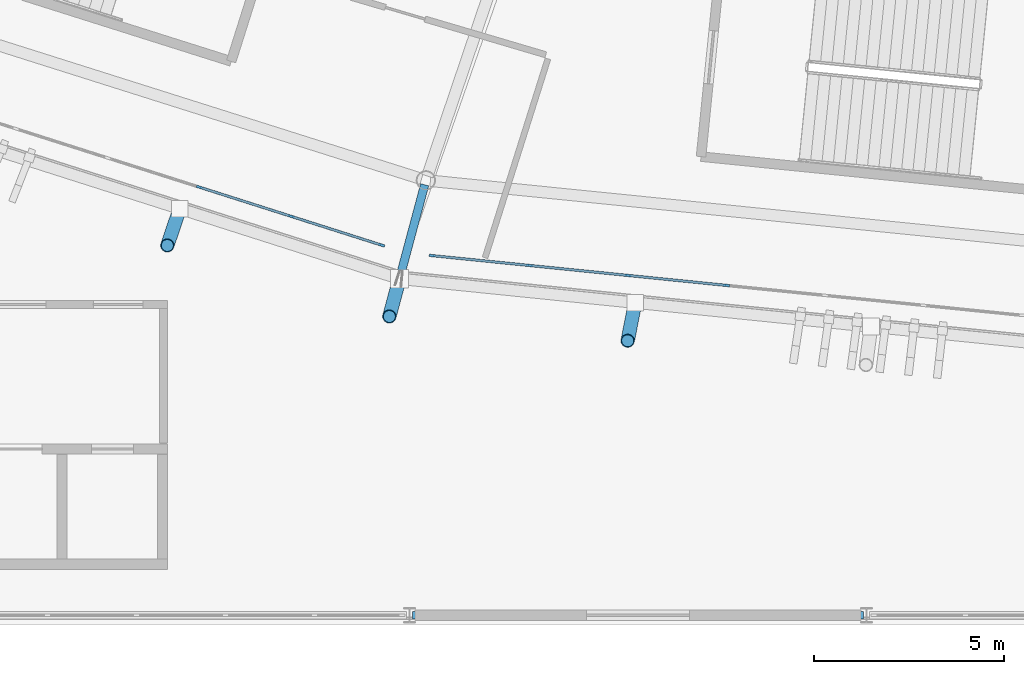
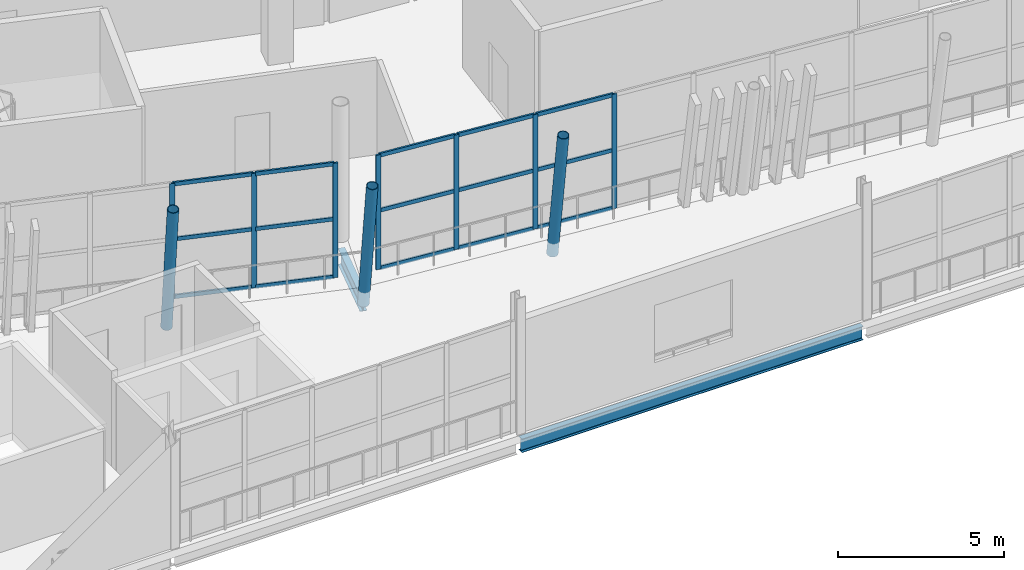
# One storey, part 33 of 179: 25 members, 2 beams, 2 elements without a shape of their own.
"""IFC4 building model written with IfcOpenShell, lengths in metres."""

from ifc_helpers import new_model, si_unit, direction, frame, origin, origin_2d, place, context, subcontext, project, spatial, rectangle, hollow_circle, i_section, extrude, material, material_profile, profile_set, type_object, element, aggregate, save


model = new_model("IFC4")

# Units and contexts
model_context = context("Model", 3, precision=1e-05, world=origin(), true_north=direction((0.0, 1.0)))
body_context = subcontext(model_context, "Body", "Model", "MODEL_VIEW")
ifc_project = project(units=[si_unit("LENGTHUNIT", "METRE"), si_unit("AREAUNIT", "SQUARE_METRE"), si_unit("VOLUMEUNIT", "CUBIC_METRE"), si_unit("PLANEANGLEUNIT", "RADIAN"), si_unit("MASSUNIT", "GRAM", prefix="KILO")], contexts=[model_context])

# Site, building, storey
site_placement = place(None, origin())
site = spatial("IfcSite", under=ifc_project, at=site_placement, CompositionType="ELEMENT")
building_placement = place(site_placement, origin())
building = spatial("IfcBuilding", under=site, at=building_placement, Name="Zlatoyarsky Gate Stadium", CompositionType="ELEMENT")
storey_placement = place(building_placement, frame((0.0, 0.0, 10.60009765625)))
storey = spatial("IfcBuildingStorey", under=building, at=storey_placement, Name="L02", CompositionType="ELEMENT", Elevation=10.60009765625)

# Curtain wall, members
ifc_material_1 = material(Name="Thermally broken anodised aluminium curtain wall", Category="aluminium")
curtain_wall_type = type_object("IfcCurtainWallType", Name="UNITISED HOSPITALITY GLAZING L02", PredefinedType="USERDEFINED", material=ifc_material_1)
curtain_wall_1_placement = place(storey_placement, origin())
curtain_wall_1 = element("IfcCurtainWall", 1, at=curtain_wall_1_placement, inside=storey, type_object=curtain_wall_type, Name="Curtain wall CW-L02-16", ObjectType="UNITISED GLAZING", PredefinedType="USERDEFINED")
ifc_material_2 = material(Name="Anodised aluminium 6063-T6", Category="aluminium")
ifc_material_profile_1 = material_profile(ifc_material_2, rectangle(XDim=0.06494140625, YDim=0.159912109375, at=origin_2d()), Name="ALU 65X160")
ifc_profile_set_1 = profile_set([ifc_material_profile_1], Name="Anodised aluminium 6063-T6")
member_type_1 = type_object("IfcMemberType", Name="ALUMINIUM MULLION 65X160", PredefinedType="MULLION", material=ifc_profile_set_1)
member_1_placement = place(storey_placement, frame((80.98388671875, 11.240234375, 0.0), z_axis=(0.0, 0.0, 1.0), x_axis=(0.303278080998, 0.952902096538, 0.0)))
member_1 = element("IfcMember", 2, at=member_1_placement, type_object=member_type_1, Name="CW-UG2 mullion 8", PredefinedType="MULLION", context=body_context, shape_type="SweptSolid", body=[
    extrude(rectangle(XDim=0.06494140625, YDim=0.159912109375, at=origin_2d()), origin(), (0.0, 0.0, 1.0), 4.199951171875),
])
member_2_placement = place(storey_placement, frame((83.3916015625, 10.47412109375, 0.0), z_axis=(0.0, 0.0, 1.0), x_axis=(0.303278080998, 0.952902096538, 0.0)))
member_2 = element("IfcMember", 3, at=member_2_placement, type_object=member_type_1, Name="CW-UG2 mullion 9", PredefinedType="MULLION", context=body_context, shape_type="SweptSolid", body=[
    extrude(rectangle(XDim=0.06494140625, YDim=0.159912109375, at=origin_2d()), origin(), (0.0, 0.0, 1.0), 4.199951171875),
])
member_3_placement = place(storey_placement, frame((85.76806640625, 9.7177734375, 0.0), z_axis=(0.0, 0.0, 1.0), x_axis=(0.303278080998, 0.952902096538, 0.0)))
member_3 = element("IfcMember", 4, at=member_3_placement, type_object=member_type_1, Name="CW-UG2 mullion 10", PredefinedType="MULLION", context=body_context, shape_type="SweptSolid", body=[
    extrude(rectangle(XDim=0.06494140625, YDim=0.159912109375, at=origin_2d()), origin(), (0.0, 0.0, 1.0), 4.199951171875),
])

curtain_wall_2_placement = place(storey_placement, origin())
curtain_wall_2 = element("IfcCurtainWall", 5, at=curtain_wall_2_placement, inside=storey, type_object=curtain_wall_type, Name="Curtain wall CW-L02-17", ObjectType="UNITISED GLAZING", PredefinedType="USERDEFINED")
member_4_placement = place(storey_placement, frame((87.097412109375, 9.442138671875, 0.0), z_axis=(0.0, 0.0, 1.0), x_axis=(0.100644885375, 0.994922412577, 0.0)))
member_4 = element("IfcMember", 6, at=member_4_placement, type_object=member_type_1, Name="CW-UG2 mullion 1", PredefinedType="MULLION", context=body_context, shape_type="SweptSolid", body=[
    extrude(rectangle(XDim=0.06494140625, YDim=0.159912109375, at=origin_2d()), origin(), (0.0, 0.0, 1.0), 4.199951171875),
])
member_5_placement = place(storey_placement, frame((89.652587890625, 9.18359375, 0.0), z_axis=(0.0, 0.0, 1.0), x_axis=(0.100644885375, 0.994922412577, 0.0)))
member_5 = element("IfcMember", 7, at=member_5_placement, type_object=member_type_1, Name="CW-UG2 mullion 2", PredefinedType="MULLION", context=body_context, shape_type="SweptSolid", body=[
    extrude(rectangle(XDim=0.06494140625, YDim=0.159912109375, at=origin_2d()), origin(), (0.0, 0.0, 1.0), 4.199951171875),
])
member_6_placement = place(storey_placement, frame((92.240234375, 8.921875, 0.0), z_axis=(0.0, 0.0, 1.0), x_axis=(0.100644885375, 0.994922412577, 0.0)))
member_6 = element("IfcMember", 8, at=member_6_placement, type_object=member_type_1, Name="CW-UG2 mullion 3", PredefinedType="MULLION", context=body_context, shape_type="SweptSolid", body=[
    extrude(rectangle(XDim=0.06494140625, YDim=0.159912109375, at=origin_2d()), origin(), (0.0, 0.0, 1.0), 4.199951171875),
])
member_7_placement = place(storey_placement, frame((94.827880859375, 8.659912109375, 0.0), z_axis=(0.0, 0.0, 1.0), x_axis=(0.100644885375, 0.994922412577, 0.0)))
member_7 = element("IfcMember", 9, at=member_7_placement, type_object=member_type_1, Name="CW-UG2 mullion 4", PredefinedType="MULLION", context=body_context, shape_type="SweptSolid", body=[
    extrude(rectangle(XDim=0.06494140625, YDim=0.159912109375, at=origin_2d()), origin(), (0.0, 0.0, 1.0), 4.199951171875),
])

# Member
ifc_material_profile_2 = material_profile(ifc_material_2, rectangle(XDim=0.06494140625, YDim=0.139892578125, at=origin_2d()), Name="ALU 65X140")
ifc_profile_set_2 = profile_set([ifc_material_profile_2], Name="Anodised aluminium 6063-T6")
member_type_2 = type_object("IfcMemberType", Name="ALUMINIUM TRANSOM 65X140", PredefinedType="USERDEFINED", material=ifc_profile_set_2)
member_8_placement = place(storey_placement, frame((81.014892578125, 11.23046875, 0.032470703125), z_axis=(0.952899726058, -0.303285528964, 0.0), x_axis=(0.303285528964, 0.952899726058, 0.0)))
member_8 = element("IfcMember", 10, at=member_8_placement, type_object=member_type_2, Name="CW-UG2 transom 8.1", ObjectType="TRANSOM", PredefinedType="USERDEFINED", context=body_context, shape_type="SweptSolid", body=[
    extrude(rectangle(XDim=0.06494140625, YDim=0.139892578125, at=origin_2d()), origin(), (0.0, 0.0, 1.0), 2.461669921875),
])

member_9_placement = place(storey_placement, frame((81.014892578125, 11.23046875, 2.14990234375), z_axis=(0.952899726058, -0.303285528964, 0.0), x_axis=(0.303285528964, 0.952899726058, 0.0)))
member_9 = element("IfcMember", 11, at=member_9_placement, type_object=member_type_2, Name="CW-UG2 transom 8.2", ObjectType="TRANSOM", PredefinedType="USERDEFINED", context=body_context, shape_type="SweptSolid", body=[
    extrude(rectangle(XDim=0.06494140625, YDim=0.139892578125, at=origin_2d()), origin(), (0.0, 0.0, 1.0), 2.461669921875),
])

member_10_placement = place(storey_placement, frame((81.014892578125, 11.23046875, 4.16748046875), z_axis=(0.952899726058, -0.303285528964, 0.0), x_axis=(0.303285528964, 0.952899726058, 0.0)))
member_10 = element("IfcMember", 12, at=member_10_placement, type_object=member_type_2, Name="CW-UG2 transom 8.3", ObjectType="TRANSOM", PredefinedType="USERDEFINED", context=body_context, shape_type="SweptSolid", body=[
    extrude(rectangle(XDim=0.06494140625, YDim=0.139892578125, at=origin_2d()), origin(), (0.0, 0.0, 1.0), 2.461669921875),
])

member_11_placement = place(storey_placement, frame((83.42236328125, 10.464111328125, 0.032470703125), z_axis=(0.952916539621, -0.303232696977, 0.0), x_axis=(0.303232696977, 0.952916539621, 0.0)))
member_11 = element("IfcMember", 13, at=member_11_placement, type_object=member_type_2, Name="CW-UG2 transom 9.1", ObjectType="TRANSOM", PredefinedType="USERDEFINED", context=body_context, shape_type="SweptSolid", body=[
    extrude(rectangle(XDim=0.06494140625, YDim=0.139892578125, at=origin_2d()), origin(), (0.0, 0.0, 1.0), 2.428955078125),
])

member_12_placement = place(storey_placement, frame((83.42236328125, 10.464111328125, 2.14990234375), z_axis=(0.952916539621, -0.303232696977, 0.0), x_axis=(0.303232696977, 0.952916539621, 0.0)))
member_12 = element("IfcMember", 14, at=member_12_placement, type_object=member_type_2, Name="CW-UG2 transom 9.2", ObjectType="TRANSOM", PredefinedType="USERDEFINED", context=body_context, shape_type="SweptSolid", body=[
    extrude(rectangle(XDim=0.06494140625, YDim=0.139892578125, at=origin_2d()), origin(), (0.0, 0.0, 1.0), 2.428955078125),
])

member_13_placement = place(storey_placement, frame((83.42236328125, 10.464111328125, 4.16748046875), z_axis=(0.952916539621, -0.303232696977, 0.0), x_axis=(0.303232696977, 0.952916539621, 0.0)))
member_13 = element("IfcMember", 15, at=member_13_placement, type_object=member_type_2, Name="CW-UG2 transom 9.3", ObjectType="TRANSOM", PredefinedType="USERDEFINED", context=body_context, shape_type="SweptSolid", body=[
    extrude(rectangle(XDim=0.06494140625, YDim=0.139892578125, at=origin_2d()), origin(), (0.0, 0.0, 1.0), 2.428955078125),
])

aggregate(curtain_wall_1, [member_1, member_2, member_3, member_8, member_9, member_10, member_11, member_12, member_13])

member_14_placement = place(storey_placement, frame((87.1298828125, 9.438720703125, 0.032470703125), z_axis=(0.994921612986, -0.100652789393, 0.0), x_axis=(0.100652789393, 0.994921612986, 0.0)))
member_14 = element("IfcMember", 16, at=member_14_placement, type_object=member_type_2, Name="CW-UG2 transom 1.1", ObjectType="TRANSOM", PredefinedType="USERDEFINED", context=body_context, shape_type="SweptSolid", body=[
    extrude(rectangle(XDim=0.06494140625, YDim=0.139892578125, at=origin_2d()), origin(), (0.0, 0.0, 1.0), 2.503173828125),
])

member_15_placement = place(storey_placement, frame((87.1298828125, 9.438720703125, 2.14990234375), z_axis=(0.994921612986, -0.100652789393, 0.0), x_axis=(0.100652789393, 0.994921612986, 0.0)))
member_15 = element("IfcMember", 17, at=member_15_placement, type_object=member_type_2, Name="CW-UG2 transom 1.2", ObjectType="TRANSOM", PredefinedType="USERDEFINED", context=body_context, shape_type="SweptSolid", body=[
    extrude(rectangle(XDim=0.06494140625, YDim=0.139892578125, at=origin_2d()), origin(), (0.0, 0.0, 1.0), 2.503173828125),
])

member_16_placement = place(storey_placement, frame((87.1298828125, 9.438720703125, 4.16748046875), z_axis=(0.994921612986, -0.100652789393, 0.0), x_axis=(0.100652789393, 0.994921612986, 0.0)))
member_16 = element("IfcMember", 18, at=member_16_placement, type_object=member_type_2, Name="CW-UG2 transom 1.3", ObjectType="TRANSOM", PredefinedType="USERDEFINED", context=body_context, shape_type="SweptSolid", body=[
    extrude(rectangle(XDim=0.06494140625, YDim=0.139892578125, at=origin_2d()), origin(), (0.0, 0.0, 1.0), 2.503173828125),
])

member_17_placement = place(storey_placement, frame((89.68505859375, 9.18017578125, 0.032470703125), z_axis=(0.994926000307, -0.10060941265, 0.0), x_axis=(0.10060941265, 0.994926000307, 0.0)))
member_17 = element("IfcMember", 19, at=member_17_placement, type_object=member_type_2, Name="CW-UG2 transom 2.1", ObjectType="TRANSOM", PredefinedType="USERDEFINED", context=body_context, shape_type="SweptSolid", body=[
    extrude(rectangle(XDim=0.06494140625, YDim=0.139892578125, at=origin_2d()), origin(), (0.0, 0.0, 1.0), 2.535888671875),
])

member_18_placement = place(storey_placement, frame((89.68505859375, 9.18017578125, 2.14990234375), z_axis=(0.994926000307, -0.10060941265, 0.0), x_axis=(0.10060941265, 0.994926000307, 0.0)))
member_18 = element("IfcMember", 20, at=member_18_placement, type_object=member_type_2, Name="CW-UG2 transom 2.2", ObjectType="TRANSOM", PredefinedType="USERDEFINED", context=body_context, shape_type="SweptSolid", body=[
    extrude(rectangle(XDim=0.06494140625, YDim=0.139892578125, at=origin_2d()), origin(), (0.0, 0.0, 1.0), 2.535888671875),
])

member_19_placement = place(storey_placement, frame((89.68505859375, 9.18017578125, 4.16748046875), z_axis=(0.994926000307, -0.10060941265, 0.0), x_axis=(0.10060941265, 0.994926000307, 0.0)))
member_19 = element("IfcMember", 21, at=member_19_placement, type_object=member_type_2, Name="CW-UG2 transom 2.3", ObjectType="TRANSOM", PredefinedType="USERDEFINED", context=body_context, shape_type="SweptSolid", body=[
    extrude(rectangle(XDim=0.06494140625, YDim=0.139892578125, at=origin_2d()), origin(), (0.0, 0.0, 1.0), 2.535888671875),
])

member_20_placement = place(storey_placement, frame((92.272705078125, 8.91845703125, 0.032470703125), z_axis=(0.994925025627, -0.100619050787, 0.0), x_axis=(0.100619050787, 0.994925025627, 0.0)))
member_20 = element("IfcMember", 22, at=member_20_placement, type_object=member_type_2, Name="CW-UG2 transom 3.1", ObjectType="TRANSOM", PredefinedType="USERDEFINED", context=body_context, shape_type="SweptSolid", body=[
    extrude(rectangle(XDim=0.06494140625, YDim=0.139892578125, at=origin_2d()), origin(), (0.0, 0.0, 1.0), 2.53564453125),
])

member_21_placement = place(storey_placement, frame((92.272705078125, 8.91845703125, 2.14990234375), z_axis=(0.994925025627, -0.100619050787, 0.0), x_axis=(0.100619050787, 0.994925025627, 0.0)))
member_21 = element("IfcMember", 23, at=member_21_placement, type_object=member_type_2, Name="CW-UG2 transom 3.2", ObjectType="TRANSOM", PredefinedType="USERDEFINED", context=body_context, shape_type="SweptSolid", body=[
    extrude(rectangle(XDim=0.06494140625, YDim=0.139892578125, at=origin_2d()), origin(), (0.0, 0.0, 1.0), 2.53564453125),
])

member_22_placement = place(storey_placement, frame((92.272705078125, 8.91845703125, 4.16748046875), z_axis=(0.994925025627, -0.100619050787, 0.0), x_axis=(0.100619050787, 0.994925025627, 0.0)))
member_22 = element("IfcMember", 24, at=member_22_placement, type_object=member_type_2, Name="CW-UG2 transom 3.3", ObjectType="TRANSOM", PredefinedType="USERDEFINED", context=body_context, shape_type="SweptSolid", body=[
    extrude(rectangle(XDim=0.06494140625, YDim=0.139892578125, at=origin_2d()), origin(), (0.0, 0.0, 1.0), 2.53564453125),
])

aggregate(curtain_wall_2, [member_4, member_5, member_6, member_7, member_14, member_15, member_16, member_17, member_18, member_19, member_20, member_21, member_22])

# Beams
ifc_material_3 = material(Name="Steel S355", Category="steel")
ifc_material_profile_3 = material_profile(ifc_material_3, i_section(OverallWidth=0.219970703125, OverallDepth=0.60009765625, WebThickness=0.011962890625, FlangeThickness=0.01904296875, FilletRadius=0.02392578125, at=origin_2d()), Name="IPE 600")
ifc_profile_set_3 = profile_set([ifc_material_profile_3], Name="Steel S355")
beam_type_1 = type_object("IfcBeamType", Name="STEEL CANTILEVER FLOOR BEAM IPE 600", PredefinedType="BEAM", material=ifc_profile_set_3)
beam_1_placement = place(storey_placement, frame((86.898681640625, 11.303466796875, -0.580078125), z_axis=(-0.258750408198, -0.965944214879, 0.0), x_axis=(0.965944214879, -0.258750408198, 0.0)))
element("IfcBeam", 25, at=beam_1_placement, inside=storey, type_object=beam_type_1, Name="Beam B-IPE600 BM-L02-OUT-17", PredefinedType="BEAM", context=body_context, shape_type="SweptSolid", body=[
    extrude(i_section(OverallWidth=0.219970703125, OverallDepth=0.60009765625, WebThickness=0.011962890625, FlangeThickness=0.01904296875, FilletRadius=0.02392578125, at=origin_2d()), origin(), (0.0, 0.0, 1.0), 2.55615234375),
])
ifc_material_profile_4 = material_profile(ifc_material_3, i_section(OverallWidth=0.199951171875, OverallDepth=0.5, WebThickness=0.01025390625, FlangeThickness=0.01611328125, FilletRadius=0.02099609375, at=origin_2d()), Name="IPE 500")
ifc_profile_set_4 = profile_set([ifc_material_profile_4], Name="Steel S355")
beam_type_2 = type_object("IfcBeamType", Name="STEEL FLOOR BEAM IPE 500", PredefinedType="BEAM", material=ifc_profile_set_4)
beam_2_placement = place(storey_placement, frame((86.580078125, 0.0, -0.530029296875), z_axis=(1.0, 0.0, 0.0), x_axis=(0.0, 1.0, 0.0)))
element("IfcBeam", 26, at=beam_2_placement, inside=storey, type_object=beam_type_2, Name="Beam B-IPE500 BM-L02-WGX-8-A", PredefinedType="BEAM", context=body_context, shape_type="SweptSolid", body=[
    extrude(i_section(OverallWidth=0.199951171875, OverallDepth=0.5, WebThickness=0.01025390625, FlangeThickness=0.01611328125, FilletRadius=0.02099609375, at=origin_2d()), origin(), (0.0, 0.0, 1.0), 11.83984375),
])

# Members
ifc_material_profile_5 = material_profile(ifc_material_3, hollow_circle(Radius=0.177734375, WallThickness=0.02001953125, at=origin_2d()), Name="CHS 355.6X20")
ifc_profile_set_5 = profile_set([ifc_material_profile_5], Name="Steel S355")
member_type_3 = type_object("IfcMemberType", Name="STEEL LEANING RIB RING STRUT CHS 355.6X20", PredefinedType="STRUT", material=ifc_profile_set_5)
member_23_placement = place(storey_placement, frame((86.2373046875, 8.83447265625, -0.580078125), z_axis=(-0.052040278596, -0.194194421968, 0.979581714754), x_axis=(0.96591831511, -0.258847075576, 0.0)))
element("IfcMember", 27, at=member_23_placement, inside=storey, type_object=member_type_3, Name="Leaning ring strut 17 L02 to L03", PredefinedType="STRUT", context=body_context, shape_type="SweptSolid", body=[
    extrude(hollow_circle(Radius=0.177734375, WallThickness=0.02001953125, at=origin_2d()), origin(), (0.0, 0.0, 1.0), 5.104248046875),
])
for number, where, z_axis, x_axis, name in (
    (28, (80.468505859375, 10.674560546875, -0.530029296875), (-0.064205867771, -0.189220720591, 0.979833213074), (0.946969593559, -0.321323184464, 0.0), "Outward-leaning bowl louvre fin rib L02 16-3"),
    (29, (92.427978515625, 8.206787109375, -0.530029296875), (-0.039040225875, -0.195966623999, 0.979833119996), (0.980727743848, -0.19537935522, 0.0), "Outward-leaning bowl louvre fin rib L02 17-1"),
):
    element("IfcMember", number, at=place(storey_placement, frame(where, z_axis=z_axis, x_axis=x_axis)), inside=storey, type_object=member_type_3, Name=name, PredefinedType="STRUT", context=body_context, shape_type="SweptSolid", body=[
        extrude(hollow_circle(Radius=0.177734375, WallThickness=0.02001953125, at=origin_2d()), origin(), (0.0, 0.0, 1.0), 5.10302734375),
    ])

save(model, "model.ifc")
